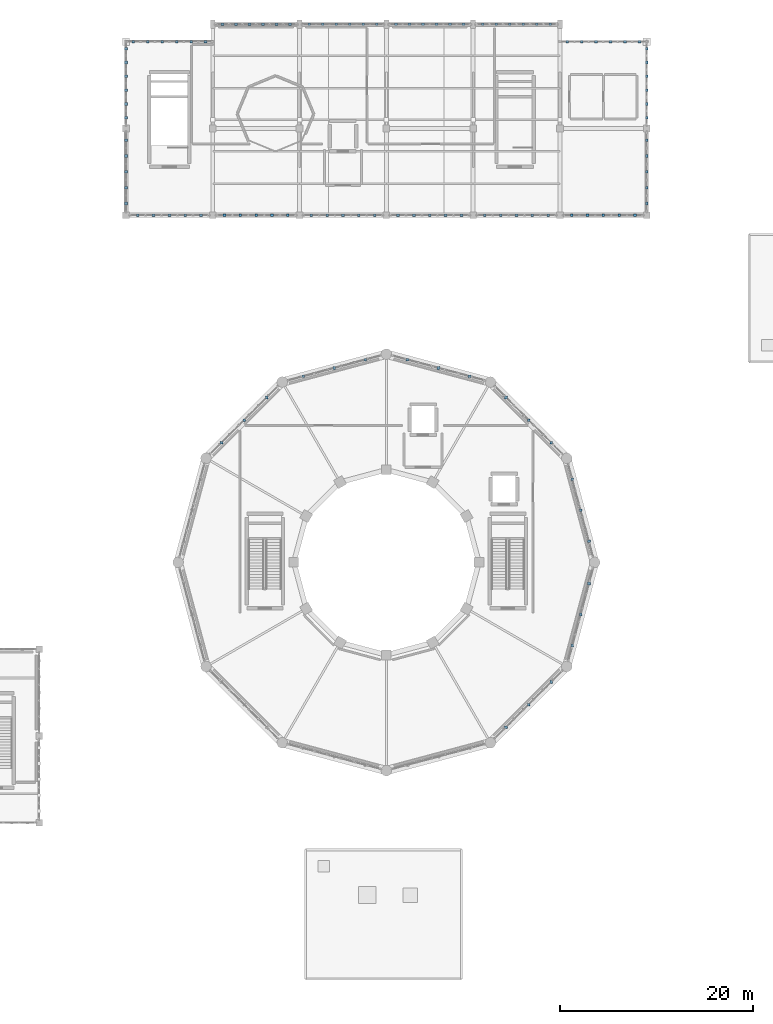
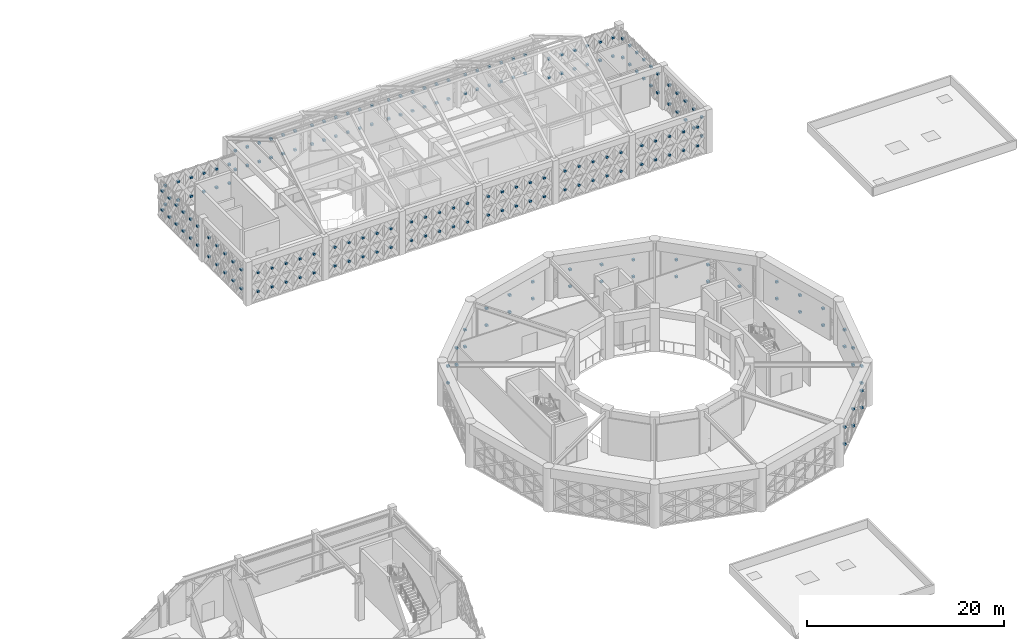
# One storey, part 69 of 72: 218 discrete accessories.
"""IFC4 building model written with IfcOpenShell, lengths in metres."""

from ifc_helpers import new_model, si_unit, direction, frame, origin, origin_2d, place, context, subcontext, project, spatial, rectangle, extrude, material, type_object, element, save


model = new_model("IFC4")

# Units and contexts
model_context = context("Model", 3, precision=1e-05, world=origin(), true_north=direction((0.0, 1.0)))
body_context = subcontext(model_context, "Body", "Model", "MODEL_VIEW")
ifc_project = project(units=[si_unit("LENGTHUNIT", "METRE"), si_unit("AREAUNIT", "SQUARE_METRE"), si_unit("VOLUMEUNIT", "CUBIC_METRE"), si_unit("PLANEANGLEUNIT", "RADIAN"), si_unit("MASSUNIT", "GRAM", prefix="KILO")], contexts=[model_context])

# Site, building, storey
site_placement = place(None, origin())
site = spatial("IfcSite", under=ifc_project, at=site_placement, CompositionType="ELEMENT")
building_placement = place(site_placement, origin())
building = spatial("IfcBuilding", under=site, at=building_placement, Name="Haizhuo Lancet Aquarium", CompositionType="ELEMENT")
storey_placement = place(building_placement, frame((0.0, 0.0, 21.60009765625)))
storey = spatial("IfcBuildingStorey", under=building, at=storey_placement, Name="L04", CompositionType="ELEMENT", Elevation=21.60009765625)

# Discrete accessories
ifc_material = material(Name="Steel S355", Category="steel")
discrete_accessory_type = type_object("IfcDiscreteAccessoryType", Name="ACC-END-CAP", PredefinedType="BRACKET", material=ifc_material)
for number, where, z_axis, x_axis, name in (
    (1, (19.291015625, 8.616943359375, 0.9267578125), (0.0, 0.0, 1.0), (1.0, 0.0, 0.0), "L04 X-brace crossing gusset plate XN-CW-V1-L04-01-LB01B1"),
    (2, (19.291015625, 8.616943359375, 3.01904296875), (0.0, 0.0, 1.0), (1.0, 0.0, 0.0), "L04 X-brace crossing gusset plate XN-CW-V1-L04-01-LB02B1"),
    (3, (20.153076171875, 5.39990234375, 0.9267578125), (0.0, 0.0, 1.0), (1.0, 0.0, 0.0), "L04 X-brace crossing gusset plate XN-CW-V1-L04-01-LB03B1"),
    (4, (20.153076171875, 5.39990234375, 3.01904296875), (0.0, 0.0, 1.0), (1.0, 0.0, 0.0), "L04 X-brace crossing gusset plate XN-CW-V1-L04-01-LB04B1"),
    (5, (21.014892578125, 2.18310546875, 0.9267578125), (0.0, 0.0, 1.0), (1.0, 0.0, 0.0), "L04 X-brace crossing gusset plate XN-CW-V1-L04-01-LB05B1"),
    (6, (21.014892578125, 2.18310546875, 3.01904296875), (0.0, 0.0, 1.0), (1.0, 0.0, 0.0), "L04 X-brace crossing gusset plate XN-CW-V1-L04-01-LB06B1"),
    (7, (12.39892578125, 17.10791015625, 0.9267578125), (0.0, 0.0, 1.0), (1.0, 0.0, 0.0), "L04 X-brace crossing gusset plate XN-CW-V1-L04-02-LB01B1"),
    (8, (12.39892578125, 17.10791015625, 3.01904296875), (0.0, 0.0, 1.0), (1.0, 0.0, 0.0), "L04 X-brace crossing gusset plate XN-CW-V1-L04-02-LB02B1"),
    (9, (14.7529296875, 14.7529296875, 0.9267578125), (0.0, 0.0, 1.0), (1.0, 0.0, 0.0), "L04 X-brace crossing gusset plate XN-CW-V1-L04-02-LB03B1"),
    (10, (14.7529296875, 14.7529296875, 3.01904296875), (0.0, 0.0, 1.0), (1.0, 0.0, 0.0), "L04 X-brace crossing gusset plate XN-CW-V1-L04-02-LB04B1"),
    (11, (17.10791015625, 12.39892578125, 0.9267578125), (0.0, 0.0, 1.0), (1.0, 0.0, 0.0), "L04 X-brace crossing gusset plate XN-CW-V1-L04-02-LB05B1"),
    (12, (17.10791015625, 12.39892578125, 3.01904296875), (0.0, 0.0, 1.0), (1.0, 0.0, 0.0), "L04 X-brace crossing gusset plate XN-CW-V1-L04-02-LB06B1"),
    (13, (2.18310546875, 21.014892578125, 0.9267578125), (0.0, 0.0, 1.0), (1.0, 0.0, 0.0), "L04 X-brace crossing gusset plate XN-CW-V1-L04-03-LB01B1"),
    (14, (2.18310546875, 21.014892578125, 3.01904296875), (0.0, 0.0, 1.0), (1.0, 0.0, 0.0), "L04 X-brace crossing gusset plate XN-CW-V1-L04-03-LB02B1"),
    (15, (5.39990234375, 20.153076171875, 0.9267578125), (0.0, 0.0, 1.0), (1.0, 0.0, 0.0), "L04 X-brace crossing gusset plate XN-CW-V1-L04-03-LB03B1"),
    (16, (5.39990234375, 20.153076171875, 3.01904296875), (0.0, 0.0, 1.0), (1.0, 0.0, 0.0), "L04 X-brace crossing gusset plate XN-CW-V1-L04-03-LB04B1"),
    (17, (8.616943359375, 19.291015625, 0.9267578125), (0.0, 0.0, 1.0), (1.0, 0.0, 0.0), "L04 X-brace crossing gusset plate XN-CW-V1-L04-03-LB05B1"),
    (18, (8.616943359375, 19.291015625, 3.01904296875), (0.0, 0.0, 1.0), (1.0, 0.0, 0.0), "L04 X-brace crossing gusset plate XN-CW-V1-L04-03-LB06B1"),
    (19, (-8.616943359375, 19.291015625, 0.9267578125), (0.0, 0.0, 1.0), (1.0, 0.0, 0.0), "L04 X-brace crossing gusset plate XN-CW-V1-L04-04-LB01B1"),
    (20, (-8.616943359375, 19.291015625, 3.01904296875), (0.0, 0.0, 1.0), (1.0, 0.0, 0.0), "L04 X-brace crossing gusset plate XN-CW-V1-L04-04-LB02B1"),
    (21, (-5.39990234375, 20.153076171875, 0.9267578125), (0.0, 0.0, 1.0), (1.0, 0.0, 0.0), "L04 X-brace crossing gusset plate XN-CW-V1-L04-04-LB03B1"),
    (22, (-5.39990234375, 20.153076171875, 3.01904296875), (0.0, 0.0, 1.0), (1.0, 0.0, 0.0), "L04 X-brace crossing gusset plate XN-CW-V1-L04-04-LB04B1"),
    (23, (-2.18310546875, 21.014892578125, 0.9267578125), (0.0, 0.0, 1.0), (1.0, 0.0, 0.0), "L04 X-brace crossing gusset plate XN-CW-V1-L04-04-LB05B1"),
    (24, (-2.18310546875, 21.014892578125, 3.01904296875), (0.0, 0.0, 1.0), (1.0, 0.0, 0.0), "L04 X-brace crossing gusset plate XN-CW-V1-L04-04-LB06B1"),
    (25, (-17.10791015625, 12.39892578125, 0.9267578125), (0.0, 0.0, 1.0), (1.0, 0.0, 0.0), "L04 X-brace crossing gusset plate XN-CW-V1-L04-05-LB01B1"),
    (26, (-17.10791015625, 12.39892578125, 3.01904296875), (0.0, 0.0, 1.0), (1.0, 0.0, 0.0), "L04 X-brace crossing gusset plate XN-CW-V1-L04-05-LB02B1"),
    (27, (-14.7529296875, 14.7529296875, 0.9267578125), (0.0, 0.0, 1.0), (1.0, 0.0, 0.0), "L04 X-brace crossing gusset plate XN-CW-V1-L04-05-LB03B1"),
    (28, (-14.7529296875, 14.7529296875, 3.01904296875), (0.0, 0.0, 1.0), (1.0, 0.0, 0.0), "L04 X-brace crossing gusset plate XN-CW-V1-L04-05-LB04B1"),
    (29, (-12.39892578125, 17.10791015625, 0.9267578125), (0.0, 0.0, 1.0), (1.0, 0.0, 0.0), "L04 X-brace crossing gusset plate XN-CW-V1-L04-05-LB05B1"),
    (30, (-12.39892578125, 17.10791015625, 3.01904296875), (0.0, 0.0, 1.0), (1.0, 0.0, 0.0), "L04 X-brace crossing gusset plate XN-CW-V1-L04-05-LB06B1"),
    (31, (17.10791015625, -12.39892578125, 0.9267578125), (0.0, 0.0, 1.0), (1.0, 0.0, 0.0), "L04 X-brace crossing gusset plate XN-CW-V1-L04-11-LB01B1"),
    (32, (17.10791015625, -12.39892578125, 3.01904296875), (0.0, 0.0, 1.0), (1.0, 0.0, 0.0), "L04 X-brace crossing gusset plate XN-CW-V1-L04-11-LB02B1"),
    (33, (14.7529296875, -14.7529296875, 0.9267578125), (0.0, 0.0, 1.0), (1.0, 0.0, 0.0), "L04 X-brace crossing gusset plate XN-CW-V1-L04-11-LB03B1"),
    (34, (14.7529296875, -14.7529296875, 3.01904296875), (0.0, 0.0, 1.0), (1.0, 0.0, 0.0), "L04 X-brace crossing gusset plate XN-CW-V1-L04-11-LB04B1"),
    (35, (12.39892578125, -17.10791015625, 0.9267578125), (0.0, 0.0, 1.0), (1.0, 0.0, 0.0), "L04 X-brace crossing gusset plate XN-CW-V1-L04-11-LB05B1"),
    (36, (12.39892578125, -17.10791015625, 3.01904296875), (0.0, 0.0, 1.0), (1.0, 0.0, 0.0), "L04 X-brace crossing gusset plate XN-CW-V1-L04-11-LB06B1"),
    (37, (21.014892578125, -2.18310546875, 0.9267578125), (0.0, 0.0, 1.0), (1.0, 0.0, 0.0), "L04 X-brace crossing gusset plate XN-CW-V1-L04-12-LB01B1"),
    (38, (21.014892578125, -2.18310546875, 3.01904296875), (0.0, 0.0, 1.0), (1.0, 0.0, 0.0), "L04 X-brace crossing gusset plate XN-CW-V1-L04-12-LB02B1"),
    (39, (20.153076171875, -5.39990234375, 0.9267578125), (0.0, 0.0, 1.0), (1.0, 0.0, 0.0), "L04 X-brace crossing gusset plate XN-CW-V1-L04-12-LB03B1"),
    (40, (20.153076171875, -5.39990234375, 3.01904296875), (0.0, 0.0, 1.0), (1.0, 0.0, 0.0), "L04 X-brace crossing gusset plate XN-CW-V1-L04-12-LB04B1"),
    (41, (19.291015625, -8.616943359375, 0.9267578125), (0.0, 0.0, 1.0), (1.0, 0.0, 0.0), "L04 X-brace crossing gusset plate XN-CW-V1-L04-12-LB05B1"),
    (42, (19.291015625, -8.616943359375, 3.01904296875), (0.0, 0.0, 1.0), (1.0, 0.0, 0.0), "L04 X-brace crossing gusset plate XN-CW-V1-L04-12-LB06B1"),
    (43, (-26.25, 54.0, 1.04296875), (0.0, 0.0, 1.0), (1.0, 0.0, 0.0), "L04 X-brace crossing gusset plate XN-CW-V5-L04-176-LB01B1"),
    (44, (-26.25, 54.0, 3.36669921875), (0.0, 0.0, 1.0), (1.0, 0.0, 0.0), "L04 X-brace crossing gusset plate XN-CW-V5-L04-176-LB02B1"),
    (45, (-24.75, 54.0, 1.04296875), (0.0, 0.0, 1.0), (1.0, 0.0, 0.0), "L04 X-brace crossing gusset plate XN-CW-V5-L04-176-LB03B1"),
    (46, (-24.75, 54.0, 3.36669921875), (0.0, 0.0, 1.0), (1.0, 0.0, 0.0), "L04 X-brace crossing gusset plate XN-CW-V5-L04-176-LB04B1"),
    (47, (-23.25, 54.0, 1.04296875), (0.0, 0.0, 1.0), (1.0, 0.0, 0.0), "L04 X-brace crossing gusset plate XN-CW-V5-L04-176-LB05B1"),
    (48, (-23.25, 54.0, 3.36669921875), (0.0, 0.0, 1.0), (1.0, 0.0, 0.0), "L04 X-brace crossing gusset plate XN-CW-V5-L04-176-LB06B1"),
    (49, (-21.75, 54.0, 1.04296875), (0.0, 0.0, 1.0), (1.0, 0.0, 0.0), "L04 X-brace crossing gusset plate XN-CW-V5-L04-176-LB07B1"),
    (50, (-21.75, 54.0, 3.36669921875), (0.0, 0.0, 1.0), (1.0, 0.0, 0.0), "L04 X-brace crossing gusset plate XN-CW-V5-L04-176-LB08B1"),
    (51, (-20.25, 54.0, 1.04296875), (0.0, 0.0, 1.0), (1.0, 0.0, 0.0), "L04 X-brace crossing gusset plate XN-CW-V5-L04-176-LB09B1"),
    (52, (-20.25, 54.0, 3.36669921875), (0.0, 0.0, 1.0), (1.0, 0.0, 0.0), "L04 X-brace crossing gusset plate XN-CW-V5-L04-176-LB10B1"),
    (53, (-18.75, 54.0, 1.04296875), (0.0, 0.0, 1.0), (1.0, 0.0, 0.0), "L04 X-brace crossing gusset plate XN-CW-V5-L04-176-LB11B1"),
    (54, (-18.75, 54.0, 3.36669921875), (0.0, 0.0, 1.0), (1.0, 0.0, 0.0), "L04 X-brace crossing gusset plate XN-CW-V5-L04-176-LB12B1"),
    (55, (-17.00390625, 55.800048828125, 1.04296875), (0.0, 0.0, 1.0), (1.0, 0.0, 0.0), "L04 X-brace crossing gusset plate XN-CW-V5-L04-177-LB01B1"),
    (56, (-17.00390625, 55.800048828125, 3.36669921875), (0.0, 0.0, 1.0), (1.0, 0.0, 0.0), "L04 X-brace crossing gusset plate XN-CW-V5-L04-177-LB02B1"),
    (57, (-15.60205078125, 55.800048828125, 1.04296875), (0.0, 0.0, 1.0), (1.0, 0.0, 0.0), "L04 X-brace crossing gusset plate XN-CW-V5-L04-177-LB03B1"),
    (58, (-15.60205078125, 55.800048828125, 3.36669921875), (0.0, 0.0, 1.0), (1.0, 0.0, 0.0), "L04 X-brace crossing gusset plate XN-CW-V5-L04-177-LB04B1"),
    (59, (-14.200927734375, 55.800048828125, 1.04296875), (0.0, 0.0, 1.0), (1.0, 0.0, 0.0), "L04 X-brace crossing gusset plate XN-CW-V5-L04-177-LB05B1"),
    (60, (-14.200927734375, 55.800048828125, 3.36669921875), (0.0, 0.0, 1.0), (1.0, 0.0, 0.0), "L04 X-brace crossing gusset plate XN-CW-V5-L04-177-LB06B1"),
    (61, (-12.799072265625, 55.800048828125, 1.04296875), (0.0, 0.0, 1.0), (1.0, 0.0, 0.0), "L04 X-brace crossing gusset plate XN-CW-V5-L04-177-LB07B1"),
    (62, (-12.799072265625, 55.800048828125, 3.36669921875), (0.0, 0.0, 1.0), (1.0, 0.0, 0.0), "L04 X-brace crossing gusset plate XN-CW-V5-L04-177-LB08B1"),
    (63, (-11.39794921875, 55.800048828125, 1.04296875), (0.0, 0.0, 1.0), (1.0, 0.0, 0.0), "L04 X-brace crossing gusset plate XN-CW-V5-L04-177-LB09B1"),
    (64, (-11.39794921875, 55.800048828125, 3.36669921875), (0.0, 0.0, 1.0), (1.0, 0.0, 0.0), "L04 X-brace crossing gusset plate XN-CW-V5-L04-177-LB10B1"),
    (65, (-9.99609375, 55.800048828125, 1.04296875), (0.0, 0.0, 1.0), (1.0, 0.0, 0.0), "L04 X-brace crossing gusset plate XN-CW-V5-L04-177-LB11B1"),
    (66, (-9.99609375, 55.800048828125, 3.36669921875), (0.0, 0.0, 1.0), (1.0, 0.0, 0.0), "L04 X-brace crossing gusset plate XN-CW-V5-L04-177-LB12B1"),
    (67, (-8.00390625, 55.800048828125, 1.04296875), (0.0, 0.0, 1.0), (1.0, 0.0, 0.0), "L04 X-brace crossing gusset plate XN-CW-V5-L04-178-LB01B1"),
    (68, (-8.00390625, 55.800048828125, 3.36669921875), (0.0, 0.0, 1.0), (1.0, 0.0, 0.0), "L04 X-brace crossing gusset plate XN-CW-V5-L04-178-LB02B1"),
    (69, (-6.60302734375, 55.800048828125, 1.04296875), (0.0, 0.0, 1.0), (1.0, 0.0, 0.0), "L04 X-brace crossing gusset plate XN-CW-V5-L04-178-LB03B1"),
    (70, (-6.60302734375, 55.800048828125, 3.36669921875), (0.0, 0.0, 1.0), (1.0, 0.0, 0.0), "L04 X-brace crossing gusset plate XN-CW-V5-L04-178-LB04B1"),
    (71, (-5.200927734375, 55.800048828125, 1.04296875), (0.0, 0.0, 1.0), (1.0, 0.0, 0.0), "L04 X-brace crossing gusset plate XN-CW-V5-L04-178-LB05B1"),
    (72, (-5.200927734375, 55.800048828125, 3.36669921875), (0.0, 0.0, 1.0), (1.0, 0.0, 0.0), "L04 X-brace crossing gusset plate XN-CW-V5-L04-178-LB06B1"),
    (73, (-3.799072265625, 55.800048828125, 1.04296875), (0.0, 0.0, 1.0), (1.0, 0.0, 0.0), "L04 X-brace crossing gusset plate XN-CW-V5-L04-178-LB07B1"),
    (74, (-3.799072265625, 55.800048828125, 3.36669921875), (0.0, 0.0, 1.0), (1.0, 0.0, 0.0), "L04 X-brace crossing gusset plate XN-CW-V5-L04-178-LB08B1"),
    (75, (-2.39697265625, 55.800048828125, 1.04296875), (0.0, 0.0, 1.0), (1.0, 0.0, 0.0), "L04 X-brace crossing gusset plate XN-CW-V5-L04-178-LB09B1"),
    (76, (-2.39697265625, 55.800048828125, 3.36669921875), (0.0, 0.0, 1.0), (1.0, 0.0, 0.0), "L04 X-brace crossing gusset plate XN-CW-V5-L04-178-LB10B1"),
    (77, (-0.99609375, 55.800048828125, 1.04296875), (0.0, 0.0, 1.0), (1.0, 0.0, 0.0), "L04 X-brace crossing gusset plate XN-CW-V5-L04-178-LB11B1"),
    (78, (-0.99609375, 55.800048828125, 3.36669921875), (0.0, 0.0, 1.0), (1.0, 0.0, 0.0), "L04 X-brace crossing gusset plate XN-CW-V5-L04-178-LB12B1"),
    (79, (0.99609375, 55.800048828125, 1.04296875), (0.0, 0.0, 1.0), (1.0, 0.0, 0.0), "L04 X-brace crossing gusset plate XN-CW-V5-L04-179-LB01B1"),
    (80, (0.99609375, 55.800048828125, 3.36669921875), (0.0, 0.0, 1.0), (1.0, 0.0, 0.0), "L04 X-brace crossing gusset plate XN-CW-V5-L04-179-LB02B1"),
    (81, (2.39697265625, 55.800048828125, 1.04296875), (0.0, 0.0, 1.0), (1.0, 0.0, 0.0), "L04 X-brace crossing gusset plate XN-CW-V5-L04-179-LB03B1"),
    (82, (2.39697265625, 55.800048828125, 3.36669921875), (0.0, 0.0, 1.0), (1.0, 0.0, 0.0), "L04 X-brace crossing gusset plate XN-CW-V5-L04-179-LB04B1"),
    (83, (3.799072265625, 55.800048828125, 1.04296875), (0.0, 0.0, 1.0), (1.0, 0.0, 0.0), "L04 X-brace crossing gusset plate XN-CW-V5-L04-179-LB05B1"),
    (84, (3.799072265625, 55.800048828125, 3.36669921875), (0.0, 0.0, 1.0), (1.0, 0.0, 0.0), "L04 X-brace crossing gusset plate XN-CW-V5-L04-179-LB06B1"),
    (85, (5.200927734375, 55.800048828125, 1.04296875), (0.0, 0.0, 1.0), (1.0, 0.0, 0.0), "L04 X-brace crossing gusset plate XN-CW-V5-L04-179-LB07B1"),
    (86, (5.200927734375, 55.800048828125, 3.36669921875), (0.0, 0.0, 1.0), (1.0, 0.0, 0.0), "L04 X-brace crossing gusset plate XN-CW-V5-L04-179-LB08B1"),
    (87, (6.60302734375, 55.800048828125, 1.04296875), (0.0, 0.0, 1.0), (1.0, 0.0, 0.0), "L04 X-brace crossing gusset plate XN-CW-V5-L04-179-LB09B1"),
    (88, (6.60302734375, 55.800048828125, 3.36669921875), (0.0, 0.0, 1.0), (1.0, 0.0, 0.0), "L04 X-brace crossing gusset plate XN-CW-V5-L04-179-LB10B1"),
    (89, (8.00390625, 55.800048828125, 1.04296875), (0.0, 0.0, 1.0), (1.0, 0.0, 0.0), "L04 X-brace crossing gusset plate XN-CW-V5-L04-179-LB11B1"),
    (90, (8.00390625, 55.800048828125, 3.36669921875), (0.0, 0.0, 1.0), (1.0, 0.0, 0.0), "L04 X-brace crossing gusset plate XN-CW-V5-L04-179-LB12B1"),
    (91, (9.99609375, 55.800048828125, 1.04296875), (0.0, 0.0, 1.0), (1.0, 0.0, 0.0), "L04 X-brace crossing gusset plate XN-CW-V5-L04-180-LB01B1"),
    (92, (9.99609375, 55.800048828125, 3.36669921875), (0.0, 0.0, 1.0), (1.0, 0.0, 0.0), "L04 X-brace crossing gusset plate XN-CW-V5-L04-180-LB02B1"),
    (93, (11.39794921875, 55.800048828125, 1.04296875), (0.0, 0.0, 1.0), (1.0, 0.0, 0.0), "L04 X-brace crossing gusset plate XN-CW-V5-L04-180-LB03B1"),
    (94, (11.39794921875, 55.800048828125, 3.36669921875), (0.0, 0.0, 1.0), (1.0, 0.0, 0.0), "L04 X-brace crossing gusset plate XN-CW-V5-L04-180-LB04B1"),
    (95, (12.799072265625, 55.800048828125, 1.04296875), (0.0, 0.0, 1.0), (1.0, 0.0, 0.0), "L04 X-brace crossing gusset plate XN-CW-V5-L04-180-LB05B1"),
    (96, (12.799072265625, 55.800048828125, 3.36669921875), (0.0, 0.0, 1.0), (1.0, 0.0, 0.0), "L04 X-brace crossing gusset plate XN-CW-V5-L04-180-LB06B1"),
    (97, (14.200927734375, 55.800048828125, 1.04296875), (0.0, 0.0, 1.0), (1.0, 0.0, 0.0), "L04 X-brace crossing gusset plate XN-CW-V5-L04-180-LB07B1"),
    (98, (14.200927734375, 55.800048828125, 3.36669921875), (0.0, 0.0, 1.0), (1.0, 0.0, 0.0), "L04 X-brace crossing gusset plate XN-CW-V5-L04-180-LB08B1"),
    (99, (15.60205078125, 55.800048828125, 1.04296875), (0.0, 0.0, 1.0), (1.0, 0.0, 0.0), "L04 X-brace crossing gusset plate XN-CW-V5-L04-180-LB09B1"),
    (100, (15.60205078125, 55.800048828125, 3.36669921875), (0.0, 0.0, 1.0), (1.0, 0.0, 0.0), "L04 X-brace crossing gusset plate XN-CW-V5-L04-180-LB10B1"),
    (101, (17.00390625, 55.800048828125, 1.04296875), (0.0, 0.0, 1.0), (1.0, 0.0, 0.0), "L04 X-brace crossing gusset plate XN-CW-V5-L04-180-LB11B1"),
    (102, (17.00390625, 55.800048828125, 3.36669921875), (0.0, 0.0, 1.0), (1.0, 0.0, 0.0), "L04 X-brace crossing gusset plate XN-CW-V5-L04-180-LB12B1"),
    (103, (18.75, 54.0, 1.04296875), (0.0, 0.0, 1.0), (1.0, 0.0, 0.0), "L04 X-brace crossing gusset plate XN-CW-V5-L04-181-LB01B1"),
    (104, (18.75, 54.0, 3.36669921875), (0.0, 0.0, 1.0), (1.0, 0.0, 0.0), "L04 X-brace crossing gusset plate XN-CW-V5-L04-181-LB02B1"),
    (105, (20.25, 54.0, 1.04296875), (0.0, 0.0, 1.0), (1.0, 0.0, 0.0), "L04 X-brace crossing gusset plate XN-CW-V5-L04-181-LB03B1"),
    (106, (20.25, 54.0, 3.36669921875), (0.0, 0.0, 1.0), (1.0, 0.0, 0.0), "L04 X-brace crossing gusset plate XN-CW-V5-L04-181-LB04B1"),
    (107, (21.75, 54.0, 1.04296875), (0.0, 0.0, 1.0), (1.0, 0.0, 0.0), "L04 X-brace crossing gusset plate XN-CW-V5-L04-181-LB05B1"),
    (108, (21.75, 54.0, 3.36669921875), (0.0, 0.0, 1.0), (1.0, 0.0, 0.0), "L04 X-brace crossing gusset plate XN-CW-V5-L04-181-LB06B1"),
    (109, (23.25, 54.0, 1.04296875), (0.0, 0.0, 1.0), (1.0, 0.0, 0.0), "L04 X-brace crossing gusset plate XN-CW-V5-L04-181-LB07B1"),
    (110, (23.25, 54.0, 3.36669921875), (0.0, 0.0, 1.0), (1.0, 0.0, 0.0), "L04 X-brace crossing gusset plate XN-CW-V5-L04-181-LB08B1"),
    (111, (24.75, 54.0, 1.04296875), (0.0, 0.0, 1.0), (1.0, 0.0, 0.0), "L04 X-brace crossing gusset plate XN-CW-V5-L04-181-LB09B1"),
    (112, (24.75, 54.0, 3.36669921875), (0.0, 0.0, 1.0), (1.0, 0.0, 0.0), "L04 X-brace crossing gusset plate XN-CW-V5-L04-181-LB10B1"),
    (113, (26.25, 54.0, 1.04296875), (0.0, 0.0, 1.0), (1.0, 0.0, 0.0), "L04 X-brace crossing gusset plate XN-CW-V5-L04-181-LB11B1"),
    (114, (26.25, 54.0, 3.36669921875), (0.0, 0.0, 1.0), (1.0, 0.0, 0.0), "L04 X-brace crossing gusset plate XN-CW-V5-L04-181-LB12B1"),
    (115, (27.0, 53.282958984375, 1.0546875), (0.0, 0.0, 1.0), (1.0, 0.0, 0.0), "L04 X-brace crossing gusset plate XN-CW-V5-L04-182-LB01B1"),
    (116, (27.0, 53.282958984375, 3.40478515625), (0.0, 0.0, 1.0), (1.0, 0.0, 0.0), "L04 X-brace crossing gusset plate XN-CW-V5-L04-182-LB02B1"),
    (117, (27.0, 51.84912109375, 1.0546875), (0.0, 0.0, 1.0), (1.0, 0.0, 0.0), "L04 X-brace crossing gusset plate XN-CW-V5-L04-182-LB03B1"),
    (118, (27.0, 51.84912109375, 3.40478515625), (0.0, 0.0, 1.0), (1.0, 0.0, 0.0), "L04 X-brace crossing gusset plate XN-CW-V5-L04-182-LB04B1"),
    (119, (27.0, 50.4150390625, 1.0546875), (0.0, 0.0, 1.0), (1.0, 0.0, 0.0), "L04 X-brace crossing gusset plate XN-CW-V5-L04-182-LB05B1"),
    (120, (27.0, 50.4150390625, 3.40478515625), (0.0, 0.0, 1.0), (1.0, 0.0, 0.0), "L04 X-brace crossing gusset plate XN-CW-V5-L04-182-LB06B1"),
    (121, (27.0, 48.97998046875, 1.0546875), (0.0, 0.0, 1.0), (1.0, 0.0, 0.0), "L04 X-brace crossing gusset plate XN-CW-V5-L04-182-LB07B1"),
    (122, (27.0, 48.97998046875, 3.40478515625), (0.0, 0.0, 1.0), (1.0, 0.0, 0.0), "L04 X-brace crossing gusset plate XN-CW-V5-L04-182-LB08B1"),
    (123, (27.0, 47.5458984375, 1.0546875), (0.0, 0.0, 1.0), (1.0, 0.0, 0.0), "L04 X-brace crossing gusset plate XN-CW-V5-L04-182-LB09B1"),
    (124, (27.0, 47.5458984375, 3.40478515625), (0.0, 0.0, 1.0), (1.0, 0.0, 0.0), "L04 X-brace crossing gusset plate XN-CW-V5-L04-182-LB10B1"),
    (125, (27.0, 46.112060546875, 1.0546875), (0.0, 0.0, 1.0), (1.0, 0.0, 0.0), "L04 X-brace crossing gusset plate XN-CW-V5-L04-182-LB11B1"),
    (126, (27.0, 46.112060546875, 3.40478515625), (0.0, 0.0, 1.0), (1.0, 0.0, 0.0), "L04 X-brace crossing gusset plate XN-CW-V5-L04-182-LB12B1"),
    (127, (27.0, 43.783935546875, 1.0546875), (0.0, 0.0, 1.0), (1.0, 0.0, 0.0), "L04 X-brace crossing gusset plate XN-CW-V5-L04-183-LB01B1"),
    (128, (27.0, 43.783935546875, 3.40478515625), (0.0, 0.0, 1.0), (1.0, 0.0, 0.0), "L04 X-brace crossing gusset plate XN-CW-V5-L04-183-LB02B1"),
    (129, (27.0, 42.14208984375, 1.0546875), (0.0, 0.0, 1.0), (1.0, 0.0, 0.0), "L04 X-brace crossing gusset plate XN-CW-V5-L04-183-LB03B1"),
    (130, (27.0, 42.14208984375, 3.40478515625), (0.0, 0.0, 1.0), (1.0, 0.0, 0.0), "L04 X-brace crossing gusset plate XN-CW-V5-L04-183-LB04B1"),
    (131, (27.0, 40.5, 1.0546875), (0.0, 0.0, 1.0), (1.0, 0.0, 0.0), "L04 X-brace crossing gusset plate XN-CW-V5-L04-183-LB05B1"),
    (132, (27.0, 40.5, 3.40478515625), (0.0, 0.0, 1.0), (1.0, 0.0, 0.0), "L04 X-brace crossing gusset plate XN-CW-V5-L04-183-LB06B1"),
    (133, (27.0, 38.85791015625, 1.0546875), (0.0, 0.0, 1.0), (1.0, 0.0, 0.0), "L04 X-brace crossing gusset plate XN-CW-V5-L04-183-LB07B1"),
    (134, (27.0, 38.85791015625, 3.40478515625), (0.0, 0.0, 1.0), (1.0, 0.0, 0.0), "L04 X-brace crossing gusset plate XN-CW-V5-L04-183-LB08B1"),
    (135, (27.0, 37.216064453125, 1.0546875), (0.0, 0.0, 1.0), (1.0, 0.0, 0.0), "L04 X-brace crossing gusset plate XN-CW-V5-L04-183-LB09B1"),
    (136, (27.0, 37.216064453125, 3.40478515625), (0.0, 0.0, 1.0), (1.0, 0.0, 0.0), "L04 X-brace crossing gusset plate XN-CW-V5-L04-183-LB10B1"),
    (137, (25.783935546875, 36.0, 1.04296875), (0.0, 0.0, 1.0), (1.0, 0.0, 0.0), "L04 X-brace crossing gusset plate XN-CW-V5-L04-184-LB01B1"),
    (138, (25.783935546875, 36.0, 3.36669921875), (0.0, 0.0, 1.0), (1.0, 0.0, 0.0), "L04 X-brace crossing gusset plate XN-CW-V5-L04-184-LB02B1"),
    (139, (24.14208984375, 36.0, 1.04296875), (0.0, 0.0, 1.0), (1.0, 0.0, 0.0), "L04 X-brace crossing gusset plate XN-CW-V5-L04-184-LB03B1"),
    (140, (24.14208984375, 36.0, 3.36669921875), (0.0, 0.0, 1.0), (1.0, 0.0, 0.0), "L04 X-brace crossing gusset plate XN-CW-V5-L04-184-LB04B1"),
    (141, (22.5, 36.0, 1.04296875), (0.0, 0.0, 1.0), (1.0, 0.0, 0.0), "L04 X-brace crossing gusset plate XN-CW-V5-L04-184-LB05B1"),
    (142, (22.5, 36.0, 3.36669921875), (0.0, 0.0, 1.0), (1.0, 0.0, 0.0), "L04 X-brace crossing gusset plate XN-CW-V5-L04-184-LB06B1"),
    (143, (20.85791015625, 36.0, 1.04296875), (0.0, 0.0, 1.0), (1.0, 0.0, 0.0), "L04 X-brace crossing gusset plate XN-CW-V5-L04-184-LB07B1"),
    (144, (20.85791015625, 36.0, 3.36669921875), (0.0, 0.0, 1.0), (1.0, 0.0, 0.0), "L04 X-brace crossing gusset plate XN-CW-V5-L04-184-LB08B1"),
    (145, (19.216064453125, 36.0, 1.04296875), (0.0, 0.0, 1.0), (1.0, 0.0, 0.0), "L04 X-brace crossing gusset plate XN-CW-V5-L04-184-LB09B1"),
    (146, (19.216064453125, 36.0, 3.36669921875), (0.0, 0.0, 1.0), (1.0, 0.0, 0.0), "L04 X-brace crossing gusset plate XN-CW-V5-L04-184-LB10B1"),
    (147, (16.783935546875, 36.0, 1.04296875), (0.0, 0.0, 1.0), (1.0, 0.0, 0.0), "L04 X-brace crossing gusset plate XN-CW-V5-L04-185-LB01B1"),
    (148, (16.783935546875, 36.0, 3.36669921875), (0.0, 0.0, 1.0), (1.0, 0.0, 0.0), "L04 X-brace crossing gusset plate XN-CW-V5-L04-185-LB02B1"),
    (149, (15.14208984375, 36.0, 1.04296875), (0.0, 0.0, 1.0), (1.0, 0.0, 0.0), "L04 X-brace crossing gusset plate XN-CW-V5-L04-185-LB03B1"),
    (150, (15.14208984375, 36.0, 3.36669921875), (0.0, 0.0, 1.0), (1.0, 0.0, 0.0), "L04 X-brace crossing gusset plate XN-CW-V5-L04-185-LB04B1"),
    (151, (13.5, 36.0, 1.04296875), (0.0, 0.0, 1.0), (1.0, 0.0, 0.0), "L04 X-brace crossing gusset plate XN-CW-V5-L04-185-LB05B1"),
    (152, (13.5, 36.0, 3.36669921875), (0.0, 0.0, 1.0), (1.0, 0.0, 0.0), "L04 X-brace crossing gusset plate XN-CW-V5-L04-185-LB06B1"),
    (153, (11.85791015625, 36.0, 1.04296875), (0.0, 0.0, 1.0), (1.0, 0.0, 0.0), "L04 X-brace crossing gusset plate XN-CW-V5-L04-185-LB07B1"),
    (154, (11.85791015625, 36.0, 3.36669921875), (0.0, 0.0, 1.0), (1.0, 0.0, 0.0), "L04 X-brace crossing gusset plate XN-CW-V5-L04-185-LB08B1"),
    (155, (10.216064453125, 36.0, 1.04296875), (0.0, 0.0, 1.0), (1.0, 0.0, 0.0), "L04 X-brace crossing gusset plate XN-CW-V5-L04-185-LB09B1"),
    (156, (10.216064453125, 36.0, 3.36669921875), (0.0, 0.0, 1.0), (1.0, 0.0, 0.0), "L04 X-brace crossing gusset plate XN-CW-V5-L04-185-LB10B1"),
    (157, (7.783935546875, 36.0, 1.04296875), (0.0, 0.0, 1.0), (1.0, 0.0, 0.0), "L04 X-brace crossing gusset plate XN-CW-V5-L04-186-LB01B1"),
    (158, (7.783935546875, 36.0, 3.36669921875), (0.0, 0.0, 1.0), (1.0, 0.0, 0.0), "L04 X-brace crossing gusset plate XN-CW-V5-L04-186-LB02B1"),
    (159, (6.14208984375, 36.0, 1.04296875), (0.0, 0.0, 1.0), (1.0, 0.0, 0.0), "L04 X-brace crossing gusset plate XN-CW-V5-L04-186-LB03B1"),
    (160, (6.14208984375, 36.0, 3.36669921875), (0.0, 0.0, 1.0), (1.0, 0.0, 0.0), "L04 X-brace crossing gusset plate XN-CW-V5-L04-186-LB04B1"),
    (161, (4.5, 36.0, 1.04296875), (0.0, 0.0, 1.0), (1.0, 0.0, 0.0), "L04 X-brace crossing gusset plate XN-CW-V5-L04-186-LB05B1"),
    (162, (4.5, 36.0, 3.36669921875), (0.0, 0.0, 1.0), (1.0, 0.0, 0.0), "L04 X-brace crossing gusset plate XN-CW-V5-L04-186-LB06B1"),
    (163, (2.85791015625, 36.0, 1.04296875), (0.0, 0.0, 1.0), (1.0, 0.0, 0.0), "L04 X-brace crossing gusset plate XN-CW-V5-L04-186-LB07B1"),
    (164, (2.85791015625, 36.0, 3.36669921875), (0.0, 0.0, 1.0), (1.0, 0.0, 0.0), "L04 X-brace crossing gusset plate XN-CW-V5-L04-186-LB08B1"),
    (165, (1.216064453125, 36.0, 1.04296875), (0.0, 0.0, 1.0), (1.0, 0.0, 0.0), "L04 X-brace crossing gusset plate XN-CW-V5-L04-186-LB09B1"),
    (166, (1.216064453125, 36.0, 3.36669921875), (0.0, 0.0, 1.0), (1.0, 0.0, 0.0), "L04 X-brace crossing gusset plate XN-CW-V5-L04-186-LB10B1"),
    (167, (-1.216064453125, 36.0, 1.04296875), (0.0, 0.0, 1.0), (1.0, 0.0, 0.0), "L04 X-brace crossing gusset plate XN-CW-V5-L04-187-LB01B1"),
    (168, (-1.216064453125, 36.0, 3.36669921875), (0.0, 0.0, 1.0), (1.0, 0.0, 0.0), "L04 X-brace crossing gusset plate XN-CW-V5-L04-187-LB02B1"),
    (169, (-2.85791015625, 36.0, 1.04296875), (0.0, 0.0, 1.0), (1.0, 0.0, 0.0), "L04 X-brace crossing gusset plate XN-CW-V5-L04-187-LB03B1"),
    (170, (-2.85791015625, 36.0, 3.36669921875), (0.0, 0.0, 1.0), (1.0, 0.0, 0.0), "L04 X-brace crossing gusset plate XN-CW-V5-L04-187-LB04B1"),
    (171, (-4.5, 36.0, 1.04296875), (0.0, 0.0, 1.0), (1.0, 0.0, 0.0), "L04 X-brace crossing gusset plate XN-CW-V5-L04-187-LB05B1"),
    (172, (-4.5, 36.0, 3.36669921875), (0.0, 0.0, 1.0), (1.0, 0.0, 0.0), "L04 X-brace crossing gusset plate XN-CW-V5-L04-187-LB06B1"),
    (173, (-6.14208984375, 36.0, 1.04296875), (0.0, 0.0, 1.0), (1.0, 0.0, 0.0), "L04 X-brace crossing gusset plate XN-CW-V5-L04-187-LB07B1"),
    (174, (-6.14208984375, 36.0, 3.36669921875), (0.0, 0.0, 1.0), (1.0, 0.0, 0.0), "L04 X-brace crossing gusset plate XN-CW-V5-L04-187-LB08B1"),
    (175, (-7.783935546875, 36.0, 1.04296875), (0.0, 0.0, 1.0), (1.0, 0.0, 0.0), "L04 X-brace crossing gusset plate XN-CW-V5-L04-187-LB09B1"),
    (176, (-7.783935546875, 36.0, 3.36669921875), (0.0, 0.0, 1.0), (1.0, 0.0, 0.0), "L04 X-brace crossing gusset plate XN-CW-V5-L04-187-LB10B1"),
    (177, (-10.216064453125, 36.0, 1.04296875), (0.0, 0.0, 1.0), (1.0, 0.0, 0.0), "L04 X-brace crossing gusset plate XN-CW-V5-L04-188-LB01B1"),
    (178, (-10.216064453125, 36.0, 3.36669921875), (0.0, 0.0, 1.0), (1.0, 0.0, 0.0), "L04 X-brace crossing gusset plate XN-CW-V5-L04-188-LB02B1"),
    (179, (-11.85791015625, 36.0, 1.04296875), (0.0, 0.0, 1.0), (1.0, 0.0, 0.0), "L04 X-brace crossing gusset plate XN-CW-V5-L04-188-LB03B1"),
    (180, (-11.85791015625, 36.0, 3.36669921875), (0.0, 0.0, 1.0), (1.0, 0.0, 0.0), "L04 X-brace crossing gusset plate XN-CW-V5-L04-188-LB04B1"),
    (181, (-13.5, 36.0, 1.04296875), (0.0, 0.0, 1.0), (1.0, 0.0, 0.0), "L04 X-brace crossing gusset plate XN-CW-V5-L04-188-LB05B1"),
    (182, (-13.5, 36.0, 3.36669921875), (0.0, 0.0, 1.0), (1.0, 0.0, 0.0), "L04 X-brace crossing gusset plate XN-CW-V5-L04-188-LB06B1"),
    (183, (-15.14208984375, 36.0, 1.04296875), (0.0, 0.0, 1.0), (1.0, 0.0, 0.0), "L04 X-brace crossing gusset plate XN-CW-V5-L04-188-LB07B1"),
    (184, (-15.14208984375, 36.0, 3.36669921875), (0.0, 0.0, 1.0), (1.0, 0.0, 0.0), "L04 X-brace crossing gusset plate XN-CW-V5-L04-188-LB08B1"),
    (185, (-16.783935546875, 36.0, 1.04296875), (0.0, 0.0, 1.0), (1.0, 0.0, 0.0), "L04 X-brace crossing gusset plate XN-CW-V5-L04-188-LB09B1"),
    (186, (-16.783935546875, 36.0, 3.36669921875), (0.0, 0.0, 1.0), (1.0, 0.0, 0.0), "L04 X-brace crossing gusset plate XN-CW-V5-L04-188-LB10B1"),
    (187, (-19.216064453125, 36.0, 1.04296875), (0.0, 0.0, 1.0), (1.0, 0.0, 0.0), "L04 X-brace crossing gusset plate XN-CW-V5-L04-189-LB01B1"),
    (188, (-19.216064453125, 36.0, 3.36669921875), (0.0, 0.0, 1.0), (1.0, 0.0, 0.0), "L04 X-brace crossing gusset plate XN-CW-V5-L04-189-LB02B1"),
    (189, (-20.85791015625, 36.0, 1.04296875), (0.0, 0.0, 1.0), (1.0, 0.0, 0.0), "L04 X-brace crossing gusset plate XN-CW-V5-L04-189-LB03B1"),
    (190, (-20.85791015625, 36.0, 3.36669921875), (0.0, 0.0, 1.0), (1.0, 0.0, 0.0), "L04 X-brace crossing gusset plate XN-CW-V5-L04-189-LB04B1"),
    (191, (-22.5, 36.0, 1.04296875), (0.0, 0.0, 1.0), (1.0, 0.0, 0.0), "L04 X-brace crossing gusset plate XN-CW-V5-L04-189-LB05B1"),
    (192, (-22.5, 36.0, 3.36669921875), (0.0, 0.0, 1.0), (1.0, 0.0, 0.0), "L04 X-brace crossing gusset plate XN-CW-V5-L04-189-LB06B1"),
    (193, (-24.14208984375, 36.0, 1.04296875), (0.0, 0.0, 1.0), (1.0, 0.0, 0.0), "L04 X-brace crossing gusset plate XN-CW-V5-L04-189-LB07B1"),
    (194, (-24.14208984375, 36.0, 3.36669921875), (0.0, 0.0, 1.0), (1.0, 0.0, 0.0), "L04 X-brace crossing gusset plate XN-CW-V5-L04-189-LB08B1"),
    (195, (-25.783935546875, 36.0, 1.04296875), (0.0, 0.0, 1.0), (1.0, 0.0, 0.0), "L04 X-brace crossing gusset plate XN-CW-V5-L04-189-LB09B1"),
    (196, (-25.783935546875, 36.0, 3.36669921875), (0.0, 0.0, 1.0), (1.0, 0.0, 0.0), "L04 X-brace crossing gusset plate XN-CW-V5-L04-189-LB10B1"),
    (197, (-27.0, 37.216064453125, 1.0546875), (0.0, 0.0, 1.0), (1.0, 0.0, 0.0), "L04 X-brace crossing gusset plate XN-CW-V5-L04-190-LB01B1"),
    (198, (-27.0, 37.216064453125, 3.40478515625), (0.0, 0.0, 1.0), (1.0, 0.0, 0.0), "L04 X-brace crossing gusset plate XN-CW-V5-L04-190-LB02B1"),
    (199, (-27.0, 38.85791015625, 1.0546875), (0.0, 0.0, 1.0), (1.0, 0.0, 0.0), "L04 X-brace crossing gusset plate XN-CW-V5-L04-190-LB03B1"),
    (200, (-27.0, 38.85791015625, 3.40478515625), (0.0, 0.0, 1.0), (1.0, 0.0, 0.0), "L04 X-brace crossing gusset plate XN-CW-V5-L04-190-LB04B1"),
    (201, (-27.0, 40.5, 1.0546875), (0.0, 0.0, 1.0), (1.0, 0.0, 0.0), "L04 X-brace crossing gusset plate XN-CW-V5-L04-190-LB05B1"),
    (202, (-27.0, 40.5, 3.40478515625), (0.0, 0.0, 1.0), (1.0, 0.0, 0.0), "L04 X-brace crossing gusset plate XN-CW-V5-L04-190-LB06B1"),
    (203, (-27.0, 42.14208984375, 1.0546875), (0.0, 0.0, 1.0), (1.0, 0.0, 0.0), "L04 X-brace crossing gusset plate XN-CW-V5-L04-190-LB07B1"),
    (204, (-27.0, 42.14208984375, 3.40478515625), (0.0, 0.0, 1.0), (1.0, 0.0, 0.0), "L04 X-brace crossing gusset plate XN-CW-V5-L04-190-LB08B1"),
    (205, (-27.0, 43.783935546875, 1.0546875), (0.0, 0.0, 1.0), (1.0, 0.0, 0.0), "L04 X-brace crossing gusset plate XN-CW-V5-L04-190-LB09B1"),
    (206, (-27.0, 43.783935546875, 3.40478515625), (0.0, 0.0, 1.0), (1.0, 0.0, 0.0), "L04 X-brace crossing gusset plate XN-CW-V5-L04-190-LB10B1"),
    (207, (-27.0, 46.112060546875, 1.0546875), (0.0, 0.0, 1.0), (1.0, 0.0, 0.0), "L04 X-brace crossing gusset plate XN-CW-V5-L04-191-LB01B1"),
    (208, (-27.0, 46.112060546875, 3.40478515625), (0.0, 0.0, 1.0), (1.0, 0.0, 0.0), "L04 X-brace crossing gusset plate XN-CW-V5-L04-191-LB02B1"),
    (209, (-27.0, 47.5458984375, 1.0546875), (0.0, 0.0, 1.0), (1.0, 0.0, 0.0), "L04 X-brace crossing gusset plate XN-CW-V5-L04-191-LB03B1"),
    (210, (-27.0, 47.5458984375, 3.40478515625), (0.0, 0.0, 1.0), (1.0, 0.0, 0.0), "L04 X-brace crossing gusset plate XN-CW-V5-L04-191-LB04B1"),
    (211, (-27.0, 48.97998046875, 1.0546875), (0.0, 0.0, 1.0), (1.0, 0.0, 0.0), "L04 X-brace crossing gusset plate XN-CW-V5-L04-191-LB05B1"),
    (212, (-27.0, 48.97998046875, 3.40478515625), (0.0, 0.0, 1.0), (1.0, 0.0, 0.0), "L04 X-brace crossing gusset plate XN-CW-V5-L04-191-LB06B1"),
    (213, (-27.0, 50.4150390625, 1.0546875), (0.0, 0.0, 1.0), (1.0, 0.0, 0.0), "L04 X-brace crossing gusset plate XN-CW-V5-L04-191-LB07B1"),
    (214, (-27.0, 50.4150390625, 3.40478515625), (0.0, 0.0, 1.0), (1.0, 0.0, 0.0), "L04 X-brace crossing gusset plate XN-CW-V5-L04-191-LB08B1"),
    (215, (-27.0, 51.84912109375, 1.0546875), (0.0, 0.0, 1.0), (1.0, 0.0, 0.0), "L04 X-brace crossing gusset plate XN-CW-V5-L04-191-LB09B1"),
    (216, (-27.0, 51.84912109375, 3.40478515625), (0.0, 0.0, 1.0), (1.0, 0.0, 0.0), "L04 X-brace crossing gusset plate XN-CW-V5-L04-191-LB10B1"),
    (217, (-27.0, 53.282958984375, 1.0546875), (0.0, 0.0, 1.0), (1.0, 0.0, 0.0), "L04 X-brace crossing gusset plate XN-CW-V5-L04-191-LB11B1"),
    (218, (-27.0, 53.282958984375, 3.40478515625), (0.0, 0.0, 1.0), (1.0, 0.0, 0.0), "L04 X-brace crossing gusset plate XN-CW-V5-L04-191-LB12B1"),
):
    element("IfcDiscreteAccessory", number, at=place(storey_placement, frame(where, z_axis=z_axis, x_axis=x_axis)), inside=storey, type_object=discrete_accessory_type, material=ifc_material, Name=name, PredefinedType="BRACKET", context=body_context, shape_type="SweptSolid", body=[
        extrude(rectangle(XDim=0.280029296875, YDim=0.280029296875, at=origin_2d()), origin(), (0.0, 0.0, 1.0), 0.239990234375),
    ])

save(model, "model.ifc")
